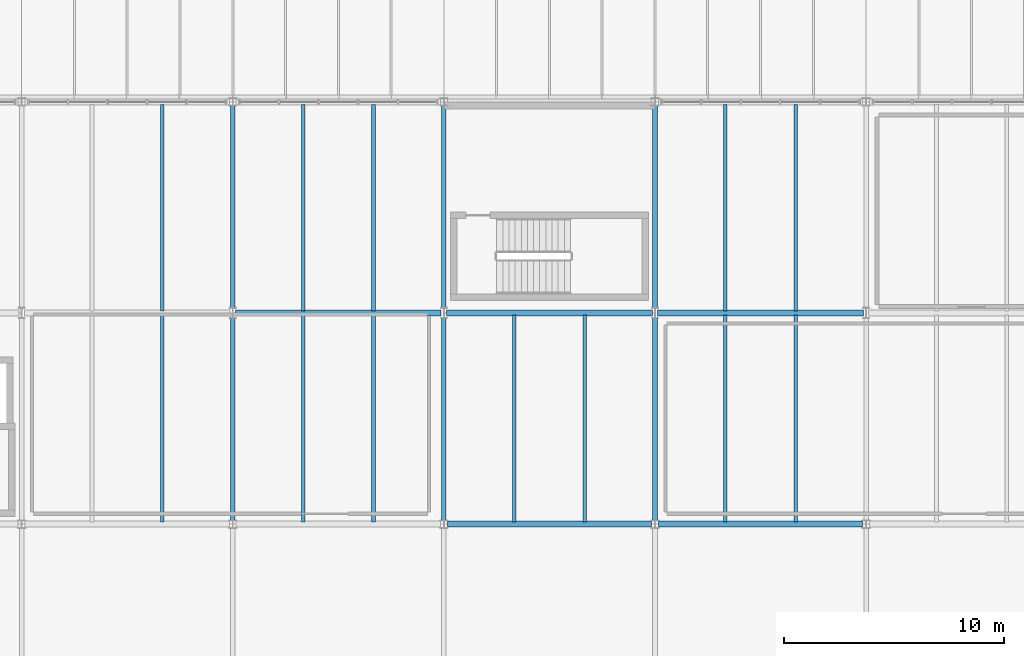
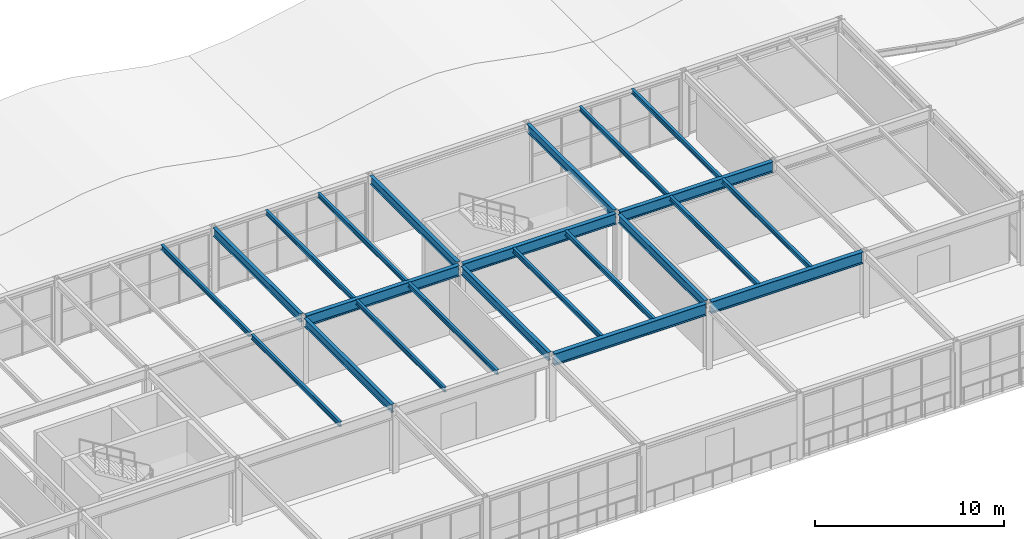
# One storey, part 97 of 170: 23 beams.
"""IFC4 building model written with IfcOpenShell, lengths in metres."""

from ifc_helpers import new_model, si_unit, direction, frame, origin, origin_2d, place, context, subcontext, project, spatial, i_section, extrude, material, material_profile, profile_set, type_object, element, save


model = new_model("IFC4")

# Units and contexts
model_context = context("Model", 3, precision=1e-05, world=origin(), true_north=direction((0.0, 1.0)))
body_context = subcontext(model_context, "Body", "Model", "MODEL_VIEW")
ifc_project = project(units=[si_unit("LENGTHUNIT", "METRE"), si_unit("AREAUNIT", "SQUARE_METRE"), si_unit("VOLUMEUNIT", "CUBIC_METRE"), si_unit("PLANEANGLEUNIT", "RADIAN"), si_unit("MASSUNIT", "GRAM", prefix="KILO")], contexts=[model_context])

# Site, building, storey
site_placement = place(None, origin())
site = spatial("IfcSite", under=ifc_project, at=site_placement, CompositionType="ELEMENT")
building_placement = place(site_placement, origin())
building = spatial("IfcBuilding", under=site, at=building_placement, Name="Coralgate Yard Interchange", CompositionType="ELEMENT")
storey_placement = place(building_placement, frame((0.0, 0.0, 6.0)))
storey = spatial("IfcBuildingStorey", under=building, at=storey_placement, Name="L01", CompositionType="ELEMENT", Elevation=6.0)

# Beams
ifc_material = material(Name="Structural steel S355J2", Category="steel")
ifc_material_profile_1 = material_profile(ifc_material, i_section(OverallWidth=0.209228515625, OverallDepth=0.533203125, WebThickness=0.010009765625, FlangeThickness=0.015625, FilletRadius=0.0126953125, at=origin_2d()), Name="UB 533x210x92")
ifc_profile_set_1 = profile_set([ifc_material_profile_1], Name="Structural steel S355J2")
beam_type_1 = type_object("IfcBeamType", Name="BM-SB-1", PredefinedType="BEAM", material=ifc_profile_set_1)
for number, where, z_axis, x_axis, name in (
    (1, (67.199951171875, 76.9541015625, 3.9833984375), (0.0, 1.0, 0.0), (-1.0, 0.0, 0.0), "L01 primary grid girder X7 Y8-9"),
    (2, (67.199951171875, 86.6201171875, 3.9833984375), (0.0, 1.0, 0.0), (-1.0, 0.0, 0.0), "L01 primary grid girder X7 Y9-10"),
    (3, (76.800048828125, 76.9541015625, 3.9833984375), (0.0, 1.0, 0.0), (-1.0, 0.0, 0.0), "L01 primary grid girder X8 Y8-9"),
    (4, (76.800048828125, 86.6201171875, 3.9833984375), (0.0, 1.0, 0.0), (-1.0, 0.0, 0.0), "L01 primary grid girder X8 Y9-10"),
    (5, (86.39990234375, 76.9541015625, 3.9833984375), (0.0, 1.0, 0.0), (-1.0, 0.0, 0.0), "L01 primary grid girder X9 Y8-9"),
    (6, (86.39990234375, 86.6201171875, 3.9833984375), (0.0, 1.0, 0.0), (-1.0, 0.0, 0.0), "L01 primary grid girder X9 Y9-10"),
):
    element("IfcBeam", number, at=place(storey_placement, frame(where, z_axis=z_axis, x_axis=x_axis)), inside=storey, type_object=beam_type_1, Name=name, PredefinedType="BEAM", context=body_context, shape_type="SweptSolid", body=[
        extrude(i_section(OverallWidth=0.209228515625, OverallDepth=0.533203125, WebThickness=0.010009765625, FlangeThickness=0.015625, FilletRadius=0.0126953125, at=origin_2d()), origin(), (0.0, 0.0, 1.0), 9.225830078125),
    ])
ifc_material_profile_2 = material_profile(ifc_material, i_section(OverallWidth=0.2666015625, OverallDepth=0.76220703125, WebThickness=0.014404296875, FlangeThickness=0.021484375, FilletRadius=0.0166015625, at=origin_2d()), Name="UB 762x267x173")
ifc_profile_set_2 = profile_set([ifc_material_profile_2], Name="Structural steel S355J2")
beam_type_2 = type_object("IfcBeamType", Name="BM-SG-3", PredefinedType="BEAM", material=ifc_profile_set_2)
for number, where, z_axis, x_axis, name in (
    (7, (76.956298828125, 76.800048828125, 3.868896484375), (1.0, 0.0, 0.0), (0.0, 1.0, 0.0), "L01 primary grid beam Y8 X8-9"),
    (8, (86.556396484375, 76.800048828125, 3.868896484375), (1.0, 0.0, 0.0), (0.0, 1.0, 0.0), "L01 primary grid beam Y8 X9-10"),
):
    element("IfcBeam", number, at=place(storey_placement, frame(where, z_axis=z_axis, x_axis=x_axis)), inside=storey, type_object=beam_type_2, Name=name, PredefinedType="BEAM", context=body_context, shape_type="SweptSolid", body=[
        extrude(i_section(OverallWidth=0.2666015625, OverallDepth=0.76220703125, WebThickness=0.014404296875, FlangeThickness=0.021484375, FilletRadius=0.0166015625, at=origin_2d()), origin(), (0.0, 0.0, 1.0), 9.287353515625),
    ])
ifc_material_profile_3 = material_profile(ifc_material, i_section(OverallWidth=0.253662109375, OverallDepth=0.68359375, WebThickness=0.012451171875, FlangeThickness=0.01904296875, FilletRadius=0.01513671875, at=origin_2d()), Name="UB 686x254x140")
ifc_profile_set_3 = profile_set([ifc_material_profile_3], Name="Structural steel S355J2")
beam_type_3 = type_object("IfcBeamType", Name="BM-SG-4", PredefinedType="BEAM", material=ifc_profile_set_3)
beam_1_placement = place(storey_placement, frame((67.320068359375, 86.39990234375, 3.908203125), z_axis=(1.0, 0.0, 0.0), x_axis=(0.0, 1.0, 0.0)))
element("IfcBeam", 9, at=beam_1_placement, inside=storey, type_object=beam_type_3, Name="L01 primary grid beam Y9 X7-8", PredefinedType="BEAM", context=body_context, shape_type="SweptSolid", body=[
    extrude(i_section(OverallWidth=0.253662109375, OverallDepth=0.68359375, WebThickness=0.012451171875, FlangeThickness=0.01904296875, FilletRadius=0.01513671875, at=origin_2d()), origin(), (0.0, 0.0, 1.0), 9.35986328125),
])
beam_2_placement = place(storey_placement, frame((76.919921875, 86.39990234375, 3.908203125), z_axis=(1.0, 0.0, 0.0), x_axis=(0.0, 1.0, 0.0)))
element("IfcBeam", 10, at=beam_2_placement, inside=storey, type_object=beam_type_3, Name="L01 primary grid beam Y9 X8-9", PredefinedType="BEAM", context=body_context, shape_type="SweptSolid", body=[
    extrude(i_section(OverallWidth=0.253662109375, OverallDepth=0.68359375, WebThickness=0.012451171875, FlangeThickness=0.01904296875, FilletRadius=0.01513671875, at=origin_2d()), origin(), (0.0, 0.0, 1.0), 9.360107421875),
])
beam_3_placement = place(storey_placement, frame((86.52001953125, 86.39990234375, 3.908203125), z_axis=(1.0, 0.0, 0.0), x_axis=(0.0, 1.0, 0.0)))
element("IfcBeam", 11, at=beam_3_placement, inside=storey, type_object=beam_type_3, Name="L01 primary grid beam Y9 X9-10", PredefinedType="BEAM", context=body_context, shape_type="SweptSolid", body=[
    extrude(i_section(OverallWidth=0.253662109375, OverallDepth=0.68359375, WebThickness=0.012451171875, FlangeThickness=0.01904296875, FilletRadius=0.01513671875, at=origin_2d()), origin(), (0.0, 0.0, 1.0), 9.35986328125),
])
ifc_material_profile_4 = material_profile(ifc_material, i_section(OverallWidth=0.1650390625, OverallDepth=0.303466796875, WebThickness=0.006103515625, FlangeThickness=0.01025390625, FilletRadius=0.0087890625, at=origin_2d()), Name="UB 305x165x40")
ifc_profile_set_4 = profile_set([ifc_material_profile_4], Name="Structural steel S355J2")
beam_type_4 = type_object("IfcBeamType", Name="BM-SJ-1", PredefinedType="JOIST", material=ifc_profile_set_4)
beam_4_placement = place(storey_placement, frame((64.0, 76.9033203125, 4.098388671875), z_axis=(0.0, 1.0, 0.0), x_axis=(-1.0, 0.0, 0.0)))
element("IfcBeam", 12, at=beam_4_placement, inside=storey, type_object=beam_type_4, Name="L01 composite floor joist 6-8-2", PredefinedType="JOIST", context=body_context, shape_type="SweptSolid", body=[
    extrude(i_section(OverallWidth=0.1650390625, OverallDepth=0.303466796875, WebThickness=0.006103515625, FlangeThickness=0.01025390625, FilletRadius=0.0087890625, at=origin_2d()), origin(), (0.0, 0.0, 1.0), 9.399658203125),
])
beam_5_placement = place(storey_placement, frame((64.0, 86.496826171875, 4.098388671875), z_axis=(0.0, 1.0, 0.0), x_axis=(-1.0, 0.0, 0.0)))
element("IfcBeam", 13, at=beam_5_placement, inside=storey, type_object=beam_type_4, Name="L01 composite floor joist 6-9-2", PredefinedType="JOIST", context=body_context, shape_type="SweptSolid", body=[
    extrude(i_section(OverallWidth=0.1650390625, OverallDepth=0.303466796875, WebThickness=0.006103515625, FlangeThickness=0.01025390625, FilletRadius=0.0087890625, at=origin_2d()), origin(), (0.0, 0.0, 1.0), 9.383056640625),
])
for number, where, z_axis, x_axis, name in (
    (14, (70.39990234375, 76.9033203125, 4.098388671875), (0.0, 1.0, 0.0), (-1.0, 0.0, 0.0), "L01 composite floor joist 7-8-1"),
    (15, (73.60009765625, 76.9033203125, 4.098388671875), (0.0, 1.0, 0.0), (-1.0, 0.0, 0.0), "L01 composite floor joist 7-8-2"),
):
    element("IfcBeam", number, at=place(storey_placement, frame(where, z_axis=z_axis, x_axis=x_axis)), inside=storey, type_object=beam_type_4, Name=name, PredefinedType="JOIST", context=body_context, shape_type="SweptSolid", body=[
        extrude(i_section(OverallWidth=0.1650390625, OverallDepth=0.303466796875, WebThickness=0.006103515625, FlangeThickness=0.01025390625, FilletRadius=0.0087890625, at=origin_2d()), origin(), (0.0, 0.0, 1.0), 9.399658203125),
    ])
for number, where, z_axis, x_axis, name in (
    (16, (70.39990234375, 86.496826171875, 4.098388671875), (0.0, 1.0, 0.0), (-1.0, 0.0, 0.0), "L01 composite floor joist 7-9-1"),
    (17, (73.60009765625, 86.496826171875, 4.098388671875), (0.0, 1.0, 0.0), (-1.0, 0.0, 0.0), "L01 composite floor joist 7-9-2"),
):
    element("IfcBeam", number, at=place(storey_placement, frame(where, z_axis=z_axis, x_axis=x_axis)), inside=storey, type_object=beam_type_4, Name=name, PredefinedType="JOIST", context=body_context, shape_type="SweptSolid", body=[
        extrude(i_section(OverallWidth=0.1650390625, OverallDepth=0.303466796875, WebThickness=0.006103515625, FlangeThickness=0.01025390625, FilletRadius=0.0087890625, at=origin_2d()), origin(), (0.0, 0.0, 1.0), 9.383056640625),
    ])
for number, where, z_axis, x_axis, name in (
    (18, (80.0, 76.9033203125, 4.098388671875), (0.0, 1.0, 0.0), (-1.0, 0.0, 0.0), "L01 composite floor joist 8-8-1"),
    (19, (83.199951171875, 76.9033203125, 4.098388671875), (0.0, 1.0, 0.0), (-1.0, 0.0, 0.0), "L01 composite floor joist 8-8-2"),
    (20, (89.60009765625, 76.9033203125, 4.098388671875), (0.0, 1.0, 0.0), (-1.0, 0.0, 0.0), "L01 composite floor joist 9-8-1"),
    (21, (92.800048828125, 76.9033203125, 4.098388671875), (0.0, 1.0, 0.0), (-1.0, 0.0, 0.0), "L01 composite floor joist 9-8-2"),
):
    element("IfcBeam", number, at=place(storey_placement, frame(where, z_axis=z_axis, x_axis=x_axis)), inside=storey, type_object=beam_type_4, Name=name, PredefinedType="JOIST", context=body_context, shape_type="SweptSolid", body=[
        extrude(i_section(OverallWidth=0.1650390625, OverallDepth=0.303466796875, WebThickness=0.006103515625, FlangeThickness=0.01025390625, FilletRadius=0.0087890625, at=origin_2d()), origin(), (0.0, 0.0, 1.0), 9.399658203125),
    ])
for number, where, z_axis, x_axis, name in (
    (22, (89.60009765625, 86.496826171875, 4.098388671875), (0.0, 1.0, 0.0), (-1.0, 0.0, 0.0), "L01 composite floor joist 9-9-1"),
    (23, (92.800048828125, 86.496826171875, 4.098388671875), (0.0, 1.0, 0.0), (-1.0, 0.0, 0.0), "L01 composite floor joist 9-9-2"),
):
    element("IfcBeam", number, at=place(storey_placement, frame(where, z_axis=z_axis, x_axis=x_axis)), inside=storey, type_object=beam_type_4, Name=name, PredefinedType="JOIST", context=body_context, shape_type="SweptSolid", body=[
        extrude(i_section(OverallWidth=0.1650390625, OverallDepth=0.303466796875, WebThickness=0.006103515625, FlangeThickness=0.01025390625, FilletRadius=0.0087890625, at=origin_2d()), origin(), (0.0, 0.0, 1.0), 9.383056640625),
    ])

save(model, "model.ifc")
